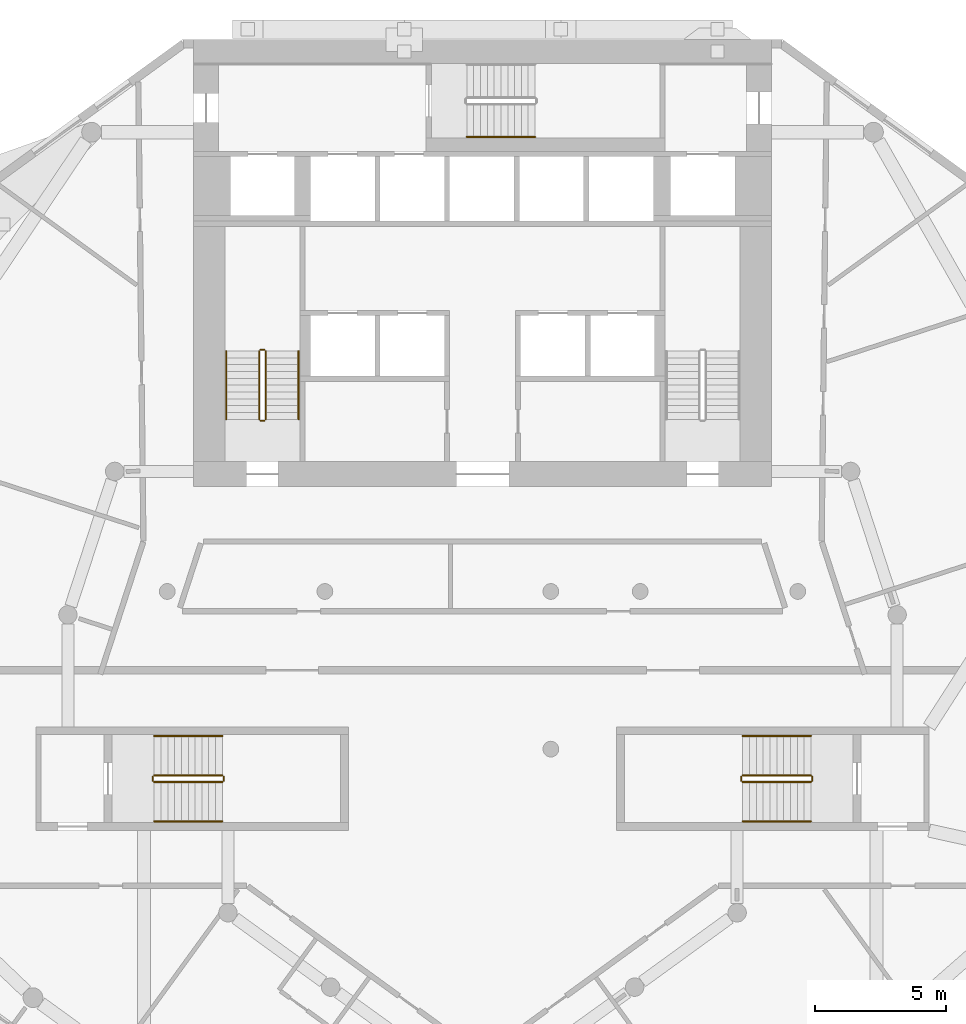
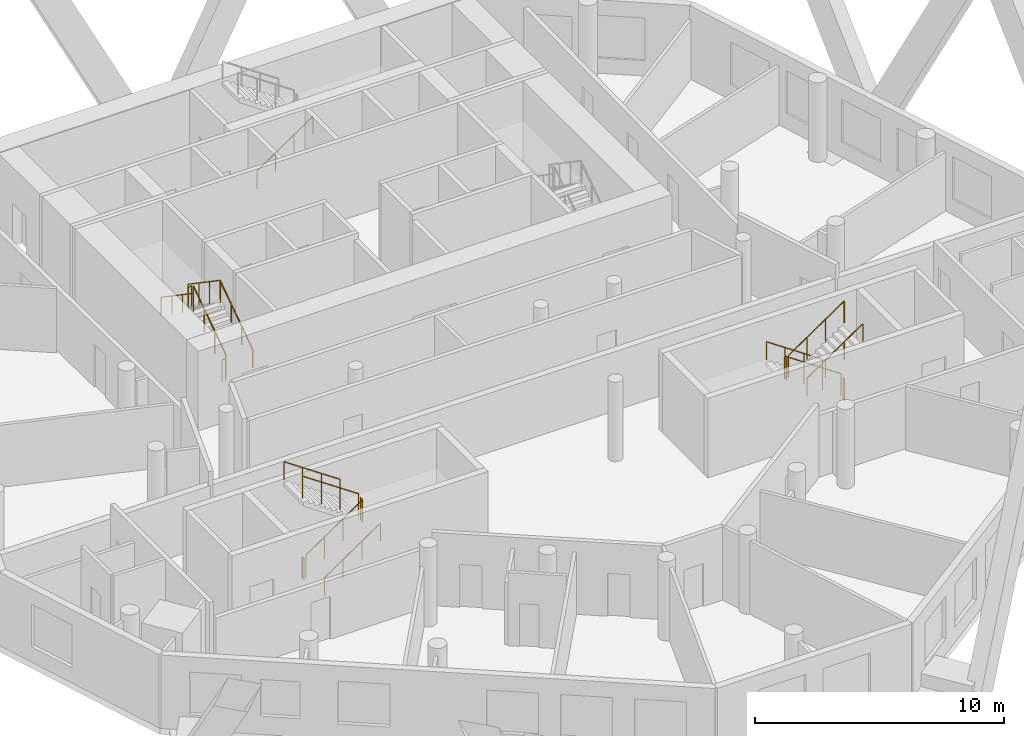
# One storey, part 8 of 9: 19 railings.
"""IFC4 building model written with IfcOpenShell, lengths in metres."""

from ifc_helpers import new_model, si_unit, direction, frame, origin, origin_2d, place, context, subcontext, project, spatial, circle, extrude, material, type_object, element, save


model = new_model("IFC4")

# Units and contexts
model_context = context("Model", 3, precision=1e-05, world=origin(), true_north=direction((0.0, 1.0)))
body_context = subcontext(model_context, "Body", "Model", "MODEL_VIEW")
ifc_project = project(units=[si_unit("LENGTHUNIT", "METRE"), si_unit("AREAUNIT", "SQUARE_METRE"), si_unit("VOLUMEUNIT", "CUBIC_METRE"), si_unit("PLANEANGLEUNIT", "RADIAN"), si_unit("MASSUNIT", "GRAM", prefix="KILO")], contexts=[model_context])

# Site, building, storey
site_placement = place(None, origin())
site = spatial("IfcSite", under=ifc_project, at=site_placement, CompositionType="ELEMENT")
building_placement = place(site_placement, origin())
building = spatial("IfcBuilding", under=site, at=building_placement, Name="White Candle Pilgrim Tower", CompositionType="ELEMENT")
storey_placement = place(building_placement, frame((0.0, 0.0, 148.60009765625)))
storey = spatial("IfcBuildingStorey", under=building, at=storey_placement, Name="L33", CompositionType="ELEMENT", Elevation=148.60009765625)

# Railings
ifc_material = material(Name="Stainless steel", Category="steel")
railing_type_1 = type_object("IfcRailingType", Name="Stair guard stainless steel 1100 mm", PredefinedType="GUARDRAIL", material=ifc_material)
railing_1_placement = place(storey_placement, frame((61.75, 73.550048828125, 0.17724609375)))
element("IfcRailing", 1, at=railing_1_placement, inside=storey, type_object=railing_type_1, Name="L33 ST1 stair guard 1", PredefinedType="GUARDRAIL", context=body_context, shape_type="SweptSolid", body=[
    extrude(circle(Radius=0.02392578125, at=origin_2d()), frame((0.0, 0.0, 1.076171875), z_axis=(0.0, 0.826215852431, 0.563353676824), x_axis=(-1.0, 0.0, 0.0)), (0.0, 0.0, 1.0), 3.146728515625),
    extrude(circle(Radius=0.02099609375, at=origin_2d()), origin(), (0.0, 0.0, 1.0), 1.052001953125),
    extrude(circle(Radius=0.02099609375, at=origin_2d()), frame((0.0, 0.86669921875, 0.5908203125)), (0.0, 0.0, 1.0), 1.052001953125),
    extrude(circle(Radius=0.02099609375, at=origin_2d()), frame((0.0, 1.733154296875, 1.181884765625)), (0.0, 0.0, 1.0), 1.052001953125),
    extrude(circle(Radius=0.02099609375, at=origin_2d()), frame((0.0, 2.599853515625, 1.772705078125)), (0.0, 0.0, 1.0), 1.052001953125),
])
railing_2_placement = place(storey_placement, frame((61.699951171875, 76.199951171875, 1.949951171875)))
element("IfcRailing", 2, at=railing_2_placement, inside=storey, type_object=railing_type_1, Name="L33 ST1 stair guard 2", PredefinedType="GUARDRAIL", context=body_context, shape_type="SweptSolid", body=[
    extrude(circle(Radius=0.02392578125, at=origin_2d()), frame((0.0, 0.0, 1.076171875), z_axis=(-1.0, 0.0, 0.0), x_axis=(0.0, -1.0, 0.0)), (0.0, 0.0, 1.0), 0.14990234375),
    extrude(circle(Radius=0.02099609375, at=origin_2d()), origin(), (0.0, 0.0, 1.0), 1.052001953125),
    extrude(circle(Radius=0.02099609375, at=origin_2d()), frame((-0.14990234375, 0.0, 0.0)), (0.0, 0.0, 1.0), 1.052001953125),
])
railing_3_placement = place(storey_placement, frame((61.5, 76.14990234375, 2.127197265625)))
element("IfcRailing", 3, at=railing_3_placement, inside=storey, type_object=railing_type_1, Name="L33 ST1 stair guard 3", PredefinedType="GUARDRAIL", context=body_context, shape_type="SweptSolid", body=[
    extrude(circle(Radius=0.02392578125, at=origin_2d()), frame((0.0, 0.0, 1.076171875), z_axis=(0.0, -0.826215852431, 0.563353676824), x_axis=(1.0, 0.0, 0.0)), (0.0, 0.0, 1.0), 3.146728515625),
    extrude(circle(Radius=0.02099609375, at=origin_2d()), origin(), (0.0, 0.0, 1.0), 1.052001953125),
    extrude(circle(Radius=0.02099609375, at=origin_2d()), frame((0.0, -0.86669921875, 0.5908203125)), (0.0, 0.0, 1.0), 1.052001953125),
    extrude(circle(Radius=0.02099609375, at=origin_2d()), frame((0.0, -1.733154296875, 1.181884765625)), (0.0, 0.0, 1.0), 1.052001953125),
    extrude(circle(Radius=0.02099609375, at=origin_2d()), frame((0.0, -2.599853515625, 1.772705078125)), (0.0, 0.0, 1.0), 1.052001953125),
])
railing_4_placement = place(storey_placement, frame((61.699951171875, 73.5, 0.0)))
element("IfcRailing", 4, at=railing_4_placement, inside=storey, type_object=railing_type_1, Name="L33 ST1 stair guard 4", PredefinedType="GUARDRAIL", context=body_context, shape_type="SweptSolid", body=[
    extrude(circle(Radius=0.02392578125, at=origin_2d()), frame((0.0, 0.0, 1.076171875), z_axis=(-1.0, 0.0, 0.0), x_axis=(0.0, -1.0, 0.0)), (0.0, 0.0, 1.0), 0.14990234375),
    extrude(circle(Radius=0.02099609375, at=origin_2d()), origin(), (0.0, 0.0, 1.0), 1.052001953125),
    extrude(circle(Radius=0.02099609375, at=origin_2d()), frame((-0.14990234375, 0.0, 0.0)), (0.0, 0.0, 1.0), 1.052001953125),
])
railing_5_placement = place(storey_placement, frame((82.5, 60.0, 0.17724609375)))
element("IfcRailing", 5, at=railing_5_placement, inside=storey, type_object=railing_type_1, Name="L33 ST4 stair guard 1", PredefinedType="GUARDRAIL", context=body_context, shape_type="SweptSolid", body=[
    extrude(circle(Radius=0.02392578125, at=origin_2d()), frame((0.0, 0.0, 1.076171875), z_axis=(-0.826240473404, 0.0, 0.563317565952), x_axis=(0.0, -1.0, 0.0)), (0.0, 0.0, 1.0), 3.14697265625),
    extrude(circle(Radius=0.02099609375, at=origin_2d()), origin(), (0.0, 0.0, 1.0), 1.052001953125),
    extrude(circle(Radius=0.02099609375, at=origin_2d()), frame((-0.86669921875, 0.0, 0.5908203125)), (0.0, 0.0, 1.0), 1.052001953125),
    extrude(circle(Radius=0.02099609375, at=origin_2d()), frame((-1.7333984375, 0.0, 1.181884765625)), (0.0, 0.0, 1.0), 1.052001953125),
    extrude(circle(Radius=0.02099609375, at=origin_2d()), frame((-2.60009765625, 0.0, 1.772705078125)), (0.0, 0.0, 1.0), 1.052001953125),
])
railing_6_placement = place(storey_placement, frame((79.85009765625, 59.949951171875, 1.949951171875)))
element("IfcRailing", 6, at=railing_6_placement, inside=storey, type_object=railing_type_1, Name="L33 ST4 stair guard 2", PredefinedType="GUARDRAIL", context=body_context, shape_type="SweptSolid", body=[
    extrude(circle(Radius=0.02392578125, at=origin_2d()), frame((0.0, 0.0, 1.076171875), z_axis=(0.0, -1.0, 0.0), x_axis=(1.0, 0.0, 0.0)), (0.0, 0.0, 1.0), 0.14990234375),
    extrude(circle(Radius=0.02099609375, at=origin_2d()), origin(), (0.0, 0.0, 1.0), 1.052001953125),
    extrude(circle(Radius=0.02099609375, at=origin_2d()), frame((0.0, -0.14990234375, 0.0)), (0.0, 0.0, 1.0), 1.052001953125),
])
railing_7_placement = place(storey_placement, frame((79.89990234375, 59.75, 2.127197265625)))
element("IfcRailing", 7, at=railing_7_placement, inside=storey, type_object=railing_type_1, Name="L33 ST4 stair guard 3", PredefinedType="GUARDRAIL", context=body_context, shape_type="SweptSolid", body=[
    extrude(circle(Radius=0.02392578125, at=origin_2d()), frame((0.0, 0.0, 1.076171875), z_axis=(0.826240473404, 0.0, 0.563317565952), x_axis=(0.0, 1.0, 0.0)), (0.0, 0.0, 1.0), 3.14697265625),
    extrude(circle(Radius=0.02099609375, at=origin_2d()), origin(), (0.0, 0.0, 1.0), 1.052001953125),
    extrude(circle(Radius=0.02099609375, at=origin_2d()), frame((0.86669921875, 0.0, 0.5908203125)), (0.0, 0.0, 1.0), 1.052001953125),
    extrude(circle(Radius=0.02099609375, at=origin_2d()), frame((1.7333984375, 0.0, 1.181884765625)), (0.0, 0.0, 1.0), 1.052001953125),
    extrude(circle(Radius=0.02099609375, at=origin_2d()), frame((2.60009765625, 0.0, 1.772705078125)), (0.0, 0.0, 1.0), 1.052001953125),
])
railing_8_placement = place(storey_placement, frame((82.550048828125, 59.949951171875, 0.0)))
element("IfcRailing", 8, at=railing_8_placement, inside=storey, type_object=railing_type_1, Name="L33 ST4 stair guard 4", PredefinedType="GUARDRAIL", context=body_context, shape_type="SweptSolid", body=[
    extrude(circle(Radius=0.02392578125, at=origin_2d()), frame((0.0, 0.0, 1.076171875), z_axis=(0.0, -1.0, 0.0), x_axis=(1.0, 0.0, 0.0)), (0.0, 0.0, 1.0), 0.14990234375),
    extrude(circle(Radius=0.02099609375, at=origin_2d()), origin(), (0.0, 0.0, 1.0), 1.052001953125),
    extrude(circle(Radius=0.02099609375, at=origin_2d()), frame((0.0, -0.14990234375, 0.0)), (0.0, 0.0, 1.0), 1.052001953125),
])
railing_9_placement = place(storey_placement, frame((57.5, 59.75, 0.17724609375)))
element("IfcRailing", 9, at=railing_9_placement, inside=storey, type_object=railing_type_1, Name="L33 ST5 stair guard 1", PredefinedType="GUARDRAIL", context=body_context, shape_type="SweptSolid", body=[
    extrude(circle(Radius=0.02392578125, at=origin_2d()), frame((0.0, 0.0, 1.076171875), z_axis=(0.826240473404, 0.0, 0.563317565952), x_axis=(0.0, 1.0, 0.0)), (0.0, 0.0, 1.0), 3.14697265625),
    extrude(circle(Radius=0.02099609375, at=origin_2d()), origin(), (0.0, 0.0, 1.0), 1.052001953125),
    extrude(circle(Radius=0.02099609375, at=origin_2d()), frame((0.86669921875, 0.0, 0.5908203125)), (0.0, 0.0, 1.0), 1.052001953125),
    extrude(circle(Radius=0.02099609375, at=origin_2d()), frame((1.7333984375, 0.0, 1.181884765625)), (0.0, 0.0, 1.0), 1.052001953125),
    extrude(circle(Radius=0.02099609375, at=origin_2d()), frame((2.60009765625, 0.0, 1.772705078125)), (0.0, 0.0, 1.0), 1.052001953125),
])
railing_10_placement = place(storey_placement, frame((60.14990234375, 59.800048828125, 1.949951171875)))
element("IfcRailing", 10, at=railing_10_placement, inside=storey, type_object=railing_type_1, Name="L33 ST5 stair guard 2", PredefinedType="GUARDRAIL", context=body_context, shape_type="SweptSolid", body=[
    extrude(circle(Radius=0.02392578125, at=origin_2d()), frame((0.0, 0.0, 1.076171875), z_axis=(0.0, 1.0, 0.0), x_axis=(-1.0, 0.0, 0.0)), (0.0, 0.0, 1.0), 0.14990234375),
    extrude(circle(Radius=0.02099609375, at=origin_2d()), origin(), (0.0, 0.0, 1.0), 1.052001953125),
    extrude(circle(Radius=0.02099609375, at=origin_2d()), frame((0.0, 0.14990234375, 0.0)), (0.0, 0.0, 1.0), 1.052001953125),
])
railing_11_placement = place(storey_placement, frame((60.10009765625, 60.0, 2.127197265625)))
element("IfcRailing", 11, at=railing_11_placement, inside=storey, type_object=railing_type_1, Name="L33 ST5 stair guard 3", PredefinedType="GUARDRAIL", context=body_context, shape_type="SweptSolid", body=[
    extrude(circle(Radius=0.02392578125, at=origin_2d()), frame((0.0, 0.0, 1.076171875), z_axis=(-0.826240473404, 0.0, 0.563317565952), x_axis=(0.0, -1.0, 0.0)), (0.0, 0.0, 1.0), 3.14697265625),
    extrude(circle(Radius=0.02099609375, at=origin_2d()), origin(), (0.0, 0.0, 1.0), 1.052001953125),
    extrude(circle(Radius=0.02099609375, at=origin_2d()), frame((-0.86669921875, 0.0, 0.5908203125)), (0.0, 0.0, 1.0), 1.052001953125),
    extrude(circle(Radius=0.02099609375, at=origin_2d()), frame((-1.7333984375, 0.0, 1.181884765625)), (0.0, 0.0, 1.0), 1.052001953125),
    extrude(circle(Radius=0.02099609375, at=origin_2d()), frame((-2.60009765625, 0.0, 1.772705078125)), (0.0, 0.0, 1.0), 1.052001953125),
])
railing_12_placement = place(storey_placement, frame((57.449951171875, 59.800048828125, 0.0)))
element("IfcRailing", 12, at=railing_12_placement, inside=storey, type_object=railing_type_1, Name="L33 ST5 stair guard 4", PredefinedType="GUARDRAIL", context=body_context, shape_type="SweptSolid", body=[
    extrude(circle(Radius=0.02392578125, at=origin_2d()), frame((0.0, 0.0, 1.076171875), z_axis=(0.0, 1.0, 0.0), x_axis=(-1.0, 0.0, 0.0)), (0.0, 0.0, 1.0), 0.14990234375),
    extrude(circle(Radius=0.02099609375, at=origin_2d()), origin(), (0.0, 0.0, 1.0), 1.052001953125),
    extrude(circle(Radius=0.02099609375, at=origin_2d()), frame((0.0, 0.14990234375, 0.0)), (0.0, 0.0, 1.0), 1.052001953125),
])
railing_type_2 = type_object("IfcRailingType", Name="Stair handrail stainless steel", PredefinedType="HANDRAIL", material=ifc_material)
railing_13_placement = place(storey_placement, frame((63.0, 73.550048828125, 0.17724609375)))
element("IfcRailing", 13, at=railing_13_placement, inside=storey, type_object=railing_type_2, Name="L33 ST1 stair handrail 1", PredefinedType="HANDRAIL", context=body_context, shape_type="SweptSolid", body=[
    extrude(circle(Radius=0.02392578125, at=origin_2d()), frame((0.0, 0.0, 0.8759765625), z_axis=(0.0, 0.826215852431, 0.563353676824), x_axis=(-1.0, 0.0, 0.0)), (0.0, 0.0, 1.0), 3.146728515625),
    extrude(circle(Radius=0.02099609375, at=origin_2d()), origin(), (0.0, 0.0, 1.0), 0.851806640625),
    extrude(circle(Radius=0.02099609375, at=origin_2d()), frame((0.0, 0.86669921875, 0.5908203125)), (0.0, 0.0, 1.0), 0.851806640625),
    extrude(circle(Radius=0.02099609375, at=origin_2d()), frame((0.0, 1.733154296875, 1.181884765625)), (0.0, 0.0, 1.0), 0.851806640625),
    extrude(circle(Radius=0.02099609375, at=origin_2d()), frame((0.0, 2.599853515625, 1.772705078125)), (0.0, 0.0, 1.0), 0.851806640625),
])
railing_14_placement = place(storey_placement, frame((60.25, 76.14990234375, 2.127197265625)))
element("IfcRailing", 14, at=railing_14_placement, inside=storey, type_object=railing_type_2, Name="L33 ST1 stair handrail 2", PredefinedType="HANDRAIL", context=body_context, shape_type="SweptSolid", body=[
    extrude(circle(Radius=0.02392578125, at=origin_2d()), frame((0.0, 0.0, 0.8759765625), z_axis=(0.0, -0.826215852431, 0.563353676824), x_axis=(1.0, 0.0, 0.0)), (0.0, 0.0, 1.0), 3.146728515625),
    extrude(circle(Radius=0.02099609375, at=origin_2d()), origin(), (0.0, 0.0, 1.0), 0.851806640625),
    extrude(circle(Radius=0.02099609375, at=origin_2d()), frame((0.0, -0.86669921875, 0.5908203125)), (0.0, 0.0, 1.0), 0.851806640625),
    extrude(circle(Radius=0.02099609375, at=origin_2d()), frame((0.0, -1.733154296875, 1.181884765625)), (0.0, 0.0, 1.0), 0.851806640625),
    extrude(circle(Radius=0.02099609375, at=origin_2d()), frame((0.0, -2.599853515625, 1.772705078125)), (0.0, 0.0, 1.0), 0.851806640625),
])
railing_15_placement = place(storey_placement, frame((69.39990234375, 84.300048828125, 0.17724609375)))
element("IfcRailing", 15, at=railing_15_placement, inside=storey, type_object=railing_type_2, Name="L33 ST3 stair handrail 1", PredefinedType="HANDRAIL", context=body_context, shape_type="SweptSolid", body=[
    extrude(circle(Radius=0.02392578125, at=origin_2d()), frame((0.0, 0.0, 0.8759765625), z_axis=(0.826240473404, 0.0, 0.563317565952), x_axis=(0.0, 1.0, 0.0)), (0.0, 0.0, 1.0), 3.14697265625),
    extrude(circle(Radius=0.02099609375, at=origin_2d()), origin(), (0.0, 0.0, 1.0), 0.851806640625),
    extrude(circle(Radius=0.02099609375, at=origin_2d()), frame((0.86669921875, 0.0, 0.5908203125)), (0.0, 0.0, 1.0), 0.851806640625),
    extrude(circle(Radius=0.02099609375, at=origin_2d()), frame((1.7333984375, 0.0, 1.181884765625)), (0.0, 0.0, 1.0), 0.851806640625),
    extrude(circle(Radius=0.02099609375, at=origin_2d()), frame((2.60009765625, 0.0, 1.772705078125)), (0.0, 0.0, 1.0), 0.851806640625),
])
railing_16_placement = place(storey_placement, frame((82.5, 61.5, 0.17724609375)))
element("IfcRailing", 16, at=railing_16_placement, inside=storey, type_object=railing_type_2, Name="L33 ST4 stair handrail 1", PredefinedType="HANDRAIL", context=body_context, shape_type="SweptSolid", body=[
    extrude(circle(Radius=0.02392578125, at=origin_2d()), frame((0.0, 0.0, 0.8759765625), z_axis=(-0.826240473404, 0.0, 0.563317565952), x_axis=(0.0, -1.0, 0.0)), (0.0, 0.0, 1.0), 3.14697265625),
    extrude(circle(Radius=0.02099609375, at=origin_2d()), origin(), (0.0, 0.0, 1.0), 0.851806640625),
    extrude(circle(Radius=0.02099609375, at=origin_2d()), frame((-0.86669921875, 0.0, 0.5908203125)), (0.0, 0.0, 1.0), 0.851806640625),
    extrude(circle(Radius=0.02099609375, at=origin_2d()), frame((-1.7333984375, 0.0, 1.181884765625)), (0.0, 0.0, 1.0), 0.851806640625),
    extrude(circle(Radius=0.02099609375, at=origin_2d()), frame((-2.60009765625, 0.0, 1.772705078125)), (0.0, 0.0, 1.0), 0.851806640625),
])
for number, where, name in (
    (17, (79.89990234375, 58.25, 2.127197265625), "L33 ST4 stair handrail 2"),
    (18, (57.5, 58.25, 0.17724609375), "L33 ST5 stair handrail 1"),
):
    element("IfcRailing", number, at=place(storey_placement, frame(where)), inside=storey, type_object=railing_type_2, Name=name, PredefinedType="HANDRAIL", context=body_context, shape_type="SweptSolid", body=[
        extrude(circle(Radius=0.02392578125, at=origin_2d()), frame((0.0, 0.0, 0.8759765625), z_axis=(0.826240473404, 0.0, 0.563317565952), x_axis=(0.0, 1.0, 0.0)), (0.0, 0.0, 1.0), 3.14697265625),
        extrude(circle(Radius=0.02099609375, at=origin_2d()), origin(), (0.0, 0.0, 1.0), 0.851806640625),
        extrude(circle(Radius=0.02099609375, at=origin_2d()), frame((0.86669921875, 0.0, 0.5908203125)), (0.0, 0.0, 1.0), 0.851806640625),
        extrude(circle(Radius=0.02099609375, at=origin_2d()), frame((1.7333984375, 0.0, 1.181884765625)), (0.0, 0.0, 1.0), 0.851806640625),
        extrude(circle(Radius=0.02099609375, at=origin_2d()), frame((2.60009765625, 0.0, 1.772705078125)), (0.0, 0.0, 1.0), 0.851806640625),
    ])
railing_17_placement = place(storey_placement, frame((60.10009765625, 61.5, 2.127197265625)))
element("IfcRailing", 19, at=railing_17_placement, inside=storey, type_object=railing_type_2, Name="L33 ST5 stair handrail 2", PredefinedType="HANDRAIL", context=body_context, shape_type="SweptSolid", body=[
    extrude(circle(Radius=0.02392578125, at=origin_2d()), frame((0.0, 0.0, 0.8759765625), z_axis=(-0.826240473404, 0.0, 0.563317565952), x_axis=(0.0, -1.0, 0.0)), (0.0, 0.0, 1.0), 3.14697265625),
    extrude(circle(Radius=0.02099609375, at=origin_2d()), origin(), (0.0, 0.0, 1.0), 0.851806640625),
    extrude(circle(Radius=0.02099609375, at=origin_2d()), frame((-0.86669921875, 0.0, 0.5908203125)), (0.0, 0.0, 1.0), 0.851806640625),
    extrude(circle(Radius=0.02099609375, at=origin_2d()), frame((-1.7333984375, 0.0, 1.181884765625)), (0.0, 0.0, 1.0), 0.851806640625),
    extrude(circle(Radius=0.02099609375, at=origin_2d()), frame((-2.60009765625, 0.0, 1.772705078125)), (0.0, 0.0, 1.0), 0.851806640625),
])

save(model, "model.ifc")
